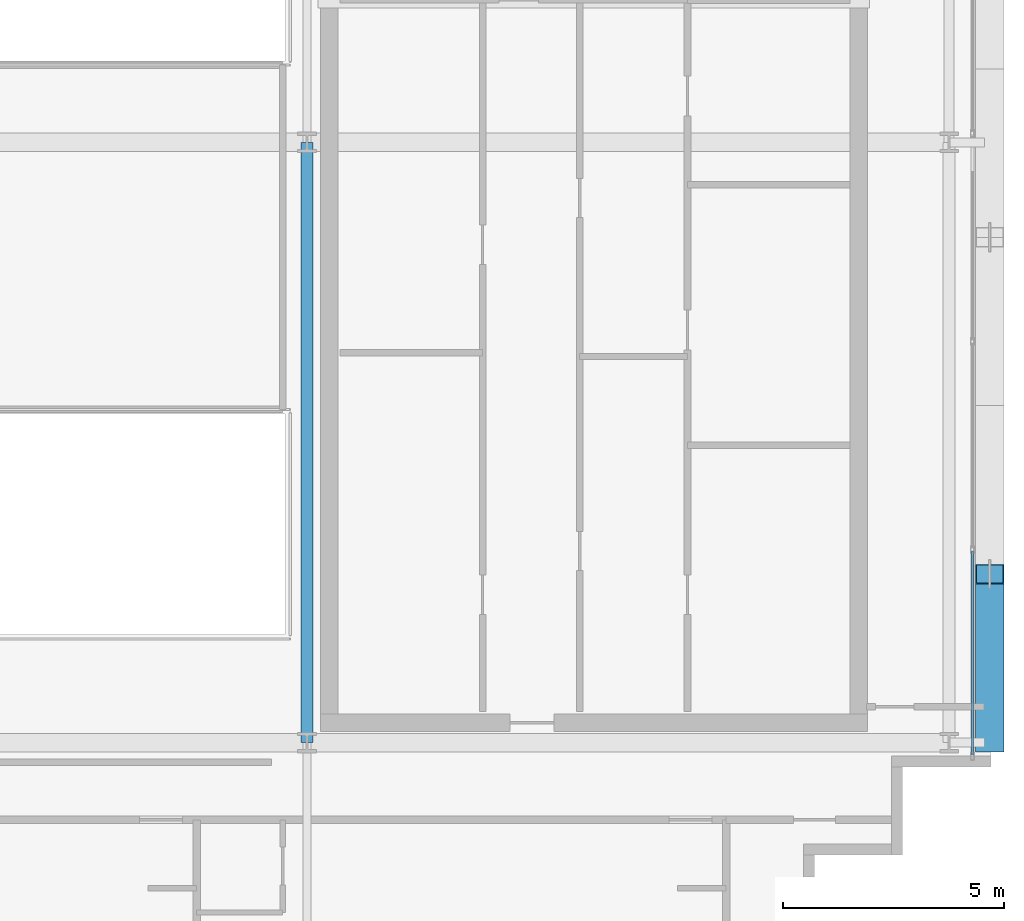
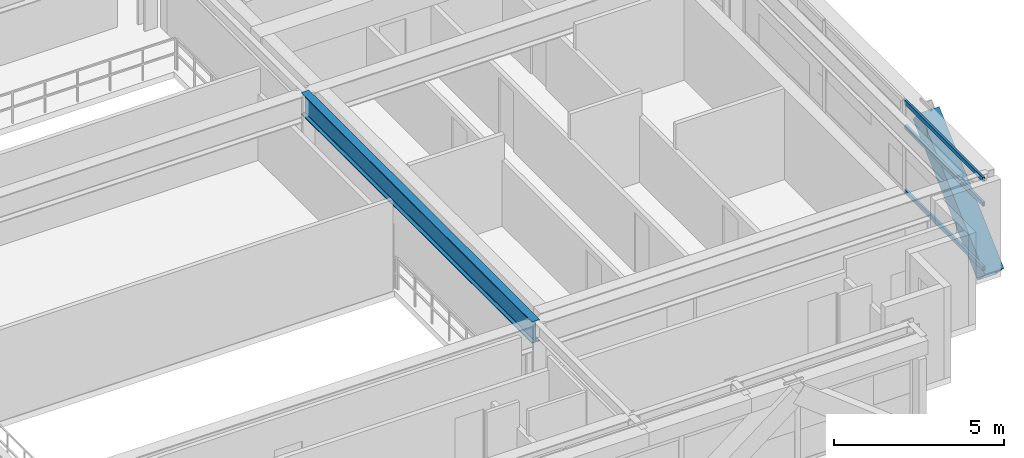
# One storey, part 10 of 28: 4 members, 1 beam, 1 element without a shape of its own.
"""IFC4 building model written with IfcOpenShell, lengths in metres."""

import ifcopenshell
import ifcopenshell.guid

model = None  # the IFC model being written
_history = None  # IfcOwnerHistory: only IFC2X3 demands one
_inside = {}  # id of a spatial element -> (the spatial element, [elements in it])
_under = {}  # id of a project, library or spatial element -> (it, [spatial elements below it])
_declared = {}  # id of a project -> (the project, [libraries it declares])
_typed = {}  # id of a type object -> (the type object, [elements of that type])
_made_of = {}  # id of a material, layer set ... -> (it, [elements and type objects made of it])


def new_model(schema):
    """Start an empty IFC model of exactly this schema.

    Asked for "IFC4X3", IfcOpenShell would pick the latest addendum, in which some entities
    have other attributes; the version numbers below select the first issue.
    IFC2X3 requires an IfcOwnerHistory on every rooted entity: one is made here for all.
    """
    global model, _history
    if schema == "IFC4X3":
        model = ifcopenshell.file(schema_version=(4, 3, 0, 0))
    else:
        model = ifcopenshell.file(schema=schema)
    _inside.clear()
    _under.clear()
    _declared.clear()
    _typed.clear()
    _made_of.clear()
    _history = None
    if model.schema == "IFC2X3":
        org = make("IfcOrganization", Name="unknown")
        user = make(
            "IfcPersonAndOrganization",
            ThePerson=make("IfcPerson", FamilyName="unknown"),
            TheOrganization=org,
        )
        app = make(
            "IfcApplication",
            ApplicationDeveloper=org,
            Version="unknown",
            ApplicationFullName="unknown",
            ApplicationIdentifier="unknown",
        )
        _history = make(
            "IfcOwnerHistory",
            OwningUser=user,
            OwningApplication=app,
            ChangeAction="ADDED",
            CreationDate=0,
        )
    return model


def make(cls, **values):
    """One entity of the class cls with the attributes given. An attribute that is None is left unset."""
    return model.create_entity(
        cls, **{name: value for name, value in values.items() if value is not None}
    )


def rooted(cls, **values):
    """An entity with a GlobalId (a new one), such as an element, a storey or a relation."""
    return make(cls, GlobalId=ifcopenshell.guid.new(), OwnerHistory=_history, **values)


def si_unit(unit_type, name, prefix=None):
    """IfcSIUnit, for example si_unit("LENGTHUNIT", "METRE", prefix="MILLI")."""
    return make("IfcSIUnit", UnitType=unit_type, Prefix=prefix, Name=name)


def assignment(units):
    """IfcUnitAssignment: the units of a project."""
    return None if units is None else make("IfcUnitAssignment", Units=units)


def point(xyz):
    """IfcCartesianPoint."""
    return None if xyz is None else make("IfcCartesianPoint", Coordinates=xyz)


def direction(xyz):
    """IfcDirection."""
    return None if xyz is None else make("IfcDirection", DirectionRatios=xyz)


def frame(location, z_axis=None, x_axis=None):
    """IfcAxis2Placement3D, a coordinate frame: its origin and axes. An axis left out is left unset."""
    return make(
        "IfcAxis2Placement3D",
        Location=point(location),
        Axis=direction(z_axis),
        RefDirection=direction(x_axis),
    )


def frame_2d(location, x_axis=None):
    """IfcAxis2Placement2D, a coordinate frame in the plane: its origin and x axis."""
    return make(
        "IfcAxis2Placement2D", Location=point(location), RefDirection=direction(x_axis)
    )


def origin():
    """The frame at (0, 0, 0) with its axes left unset."""
    return frame((0.0, 0.0, 0.0))


def origin_2d():
    """The frame at (0, 0) in the plane with its x axis left unset."""
    return frame_2d((0.0, 0.0))


def place(relative_to, where):
    """IfcLocalPlacement: puts the frame where relative to a parent placement (None: the world)."""
    return make(
        "IfcLocalPlacement", PlacementRelTo=relative_to, RelativePlacement=where
    )


def context(
    kind, dimensions, precision=None, world=None, true_north=None, identifier=None
):
    """IfcGeometricRepresentationContext, for example the 3D "Model" context."""
    return make(
        "IfcGeometricRepresentationContext",
        ContextIdentifier=identifier,
        ContextType=kind,
        CoordinateSpaceDimension=dimensions,
        Precision=precision,
        WorldCoordinateSystem=world,
        TrueNorth=true_north,
    )


def subcontext(parent, identifier, kind, view, scale=None):
    """IfcGeometricRepresentationSubContext, for example "Body" below "Model"."""
    return make(
        "IfcGeometricRepresentationSubContext",
        ContextIdentifier=identifier,
        ContextType=kind,
        ParentContext=parent,
        TargetScale=scale,
        TargetView=view,
    )


def project(units=None, contexts=None):
    """IfcProject with its units and contexts."""
    return rooted(
        "IfcProject",
        Name="project",
        RepresentationContexts=contexts,
        UnitsInContext=assignment(units),
    )


def spatial(cls, under=None, at=None, **own):
    """A site, building, storey or space (cls), placed at a placement, below another one or the project."""
    s = rooted(cls, ObjectPlacement=at, **own)
    if under is not None:
        _under.setdefault(under.id(), (under, []))[1].append(s)
    return s


def profile(cls, at=None, kind="AREA", **sizes):
    """A parametric profile (cls). Its sizes go by their IFC names, for example OverallWidth=200.0."""
    return make(cls, ProfileType=kind, Position=at, **sizes)


def hollow_rectangle(**sizes):
    """IfcRectangleHollowProfileDef."""
    return profile("IfcRectangleHollowProfileDef", **sizes)


def i_section(**sizes):
    """IfcIShapeProfileDef."""
    return profile("IfcIShapeProfileDef", **sizes)


def extrude(swept, where, along, depth):
    """IfcExtrudedAreaSolid: the profile swept, set in the frame where, extruded along a direction by depth."""
    return make(
        "IfcExtrudedAreaSolid",
        SweptArea=swept,
        Position=where,
        ExtrudedDirection=direction(along),
        Depth=depth,
    )


def shape(context_of_items, identifier, shape_type, items):
    """IfcShapeRepresentation: the items that make up one representation, for example the "Body"."""
    return make(
        "IfcShapeRepresentation",
        ContextOfItems=context_of_items,
        RepresentationIdentifier=identifier,
        RepresentationType=shape_type,
        Items=items,
    )


def source(mapping_origin, context_of_items, identifier, shape_type, items):
    """IfcRepresentationMap: a shape defined once, which mapped items show again and again."""
    return make(
        "IfcRepresentationMap",
        MappingOrigin=mapping_origin,
        MappedRepresentation=shape(context_of_items, identifier, shape_type, items),
    )


def transform(
    local_origin,
    x_axis=None,
    y_axis=None,
    z_axis=None,
    scale=None,
    scale2=None,
    scale3=None,
    uniform=True,
):
    """IfcCartesianTransformationOperator3D, or its non-uniform kind. x_axis, y_axis, z_axis: its Axis1, 2, 3."""
    if uniform:
        return make(
            "IfcCartesianTransformationOperator3D",
            Axis1=direction(x_axis),
            Axis2=direction(y_axis),
            LocalOrigin=point(local_origin),
            Scale=scale,
            Axis3=direction(z_axis),
        )
    return make(
        "IfcCartesianTransformationOperator3DnonUniform",
        Axis1=direction(x_axis),
        Axis2=direction(y_axis),
        LocalOrigin=point(local_origin),
        Scale=scale,
        Axis3=direction(z_axis),
        Scale2=scale2,
        Scale3=scale3,
    )


def mapped(mapping_source, mapping_target):
    """IfcMappedItem: shows the shape of a source again, moved by a transform."""
    return make(
        "IfcMappedItem", MappingSource=mapping_source, MappingTarget=mapping_target
    )


def material(Name=None, Category=None):
    """IfcMaterial."""
    return make("IfcMaterial", Name=Name, Category=Category)


def layer(
    of_material, thickness, ventilated=None, Name=None, Category=None, Priority=None
):
    """IfcMaterialLayer: one layer of a wall or slab, of a material (None: an air gap)."""
    return make(
        "IfcMaterialLayer",
        Material=of_material,
        LayerThickness=thickness,
        IsVentilated=ventilated,
        Name=Name,
        Category=Category,
        Priority=Priority,
    )


def layer_set(layers, Name=None):
    """IfcMaterialLayerSet."""
    return make("IfcMaterialLayerSet", MaterialLayers=layers, LayerSetName=Name)


def material_profile(
    of_material, cross_section, Name=None, Category=None, Priority=None
):
    """IfcMaterialProfile: a cross section and its material."""
    return make(
        "IfcMaterialProfile",
        Name=Name,
        Material=of_material,
        Profile=cross_section,
        Priority=Priority,
        Category=Category,
    )


def profile_set(profiles, Name=None, composite=None):
    """IfcMaterialProfileSet."""
    return make(
        "IfcMaterialProfileSet",
        Name=Name,
        MaterialProfiles=profiles,
        CompositeProfile=composite,
    )


def made_of(thing, what):
    """Note that an element or type object is made of a material, layer set ...; save() writes the relation."""
    if what is not None:
        _made_of.setdefault(what.id(), (what, []))[1].append(thing)
    return thing


def type_object(cls, material=None, **own):
    """A type object (cls), such as IfcWallType, which elements share."""
    return made_of(rooted(cls, **own), material)


def element(
    cls,
    number,
    at=None,
    inside=None,
    cuts=None,
    type_object=None,
    material=None,
    context=None,
    identifier="Body",
    shape_type=None,
    held_by="IfcProductDefinitionShape",
    body=None,
    shapes=None,
    **own,
):
    """One element of the class cls, such as IfcWall. Its Tag is "e" and its number.

    at: its placement. inside: the storey or other place that contains it. cuts: it is an
    opening in that element (IfcRelVoidsElement). A single representation is given by context,
    identifier, shape_type and body (its items); several are given by shapes. held_by: the class
    of the entity that holds the representations. save() writes the other relations.
    """
    e = rooted(cls, Tag="e%d" % number, ObjectPlacement=at, **own)
    if body is not None:
        shapes = [shape(context, identifier, shape_type, body)]
    if shapes is not None:
        e.Representation = make(held_by, Representations=shapes)
    if inside is not None:
        _inside.setdefault(inside.id(), (inside, []))[1].append(e)
    if cuts is not None:
        rooted(
            "IfcRelVoidsElement", RelatingBuildingElement=cuts, RelatedOpeningElement=e
        )
    if type_object is not None:
        _typed.setdefault(type_object.id(), (type_object, []))[1].append(e)
    return made_of(e, material)


def aggregate(whole, parts):
    """IfcRelAggregates: a whole, such as a stair, and the parts it consists of."""
    return rooted("IfcRelAggregates", RelatingObject=whole, RelatedObjects=parts)


def save(model, path):
    """Write the relations noted so far, then the file.

    IfcRelAggregates (storeys below a building ...), IfcRelContainedInSpatialStructure (elements
    in a storey), IfcRelDefinesByType, IfcRelAssociatesMaterial and IfcRelDeclares: one each for
    every whole, place, type object, material and project.
    """
    for whole, parts in _under.values():
        aggregate(whole, parts)
    for where, things in _inside.values():
        rooted(
            "IfcRelContainedInSpatialStructure",
            RelatedElements=things,
            RelatingStructure=where,
        )
    for kind, things in _typed.values():
        rooted("IfcRelDefinesByType", RelatedObjects=things, RelatingType=kind)
    for what, things in _made_of.values():
        rooted("IfcRelAssociatesMaterial", RelatedObjects=things, RelatingMaterial=what)
    for by, libraries in _declared.values():
        rooted("IfcRelDeclares", RelatingContext=by, RelatedDefinitions=libraries)
    model.write(path)


model = new_model("IFC4")

# Units and contexts
model_context = context("Model", 3, precision=1e-05, world=origin(), true_north=direction((0.0, 1.0)))
body_context = subcontext(model_context, "Body", "Model", "MODEL_VIEW")
ifc_project = project(units=[si_unit("LENGTHUNIT", "METRE"), si_unit("AREAUNIT", "SQUARE_METRE"), si_unit("VOLUMEUNIT", "CUBIC_METRE"), si_unit("PLANEANGLEUNIT", "RADIAN"), si_unit("MASSUNIT", "GRAM", prefix="KILO")], contexts=[model_context])

# Site, building, storey
site_placement = place(None, origin())
site = spatial("IfcSite", under=ifc_project, at=site_placement, CompositionType="ELEMENT")
building_placement = place(site_placement, origin())
building = spatial("IfcBuilding", under=site, at=building_placement, Name="Ocotamira Hotel", CompositionType="ELEMENT")
storey_placement = place(building_placement, frame((0.0, 0.0, 243.60009765625)))
storey = spatial("IfcBuildingStorey", under=building, at=storey_placement, Name="L61", CompositionType="ELEMENT", Elevation=243.60009765625)

# Beam
ifc_material_1 = material(Name="Steel ASTM A992 Grade 50", Category="steel")
ifc_material_profile_1 = material_profile(ifc_material_1, i_section(OverallWidth=0.26611328125, OverallDepth=0.779052734375, WebThickness=0.0166015625, FlangeThickness=0.030029296875, FilletRadius=0.01806640625, at=origin_2d()), Name="W30X148")
ifc_profile_set_1 = profile_set([ifc_material_profile_1], Name="Steel ASTM A992 Grade 50")
beam_type = type_object("IfcBeamType", Name="BM-GIRD-W30X148", PredefinedType="BEAM", material=ifc_profile_set_1)
shared_shape_1 = source(origin(), body_context, "Body", "SweptSolid", [
    extrude(i_section(OverallWidth=0.26611328125, OverallDepth=0.779052734375, WebThickness=0.0166015625, FlangeThickness=0.030029296875, FilletRadius=0.01806640625, at=origin_2d()), origin(), (0.0, 0.0, 1.0), 13.599853515625),
])
beam_placement = place(storey_placement, frame((40.5, 14.550048828125, 2.890380859375), z_axis=(0.0, 1.0, 0.0), x_axis=(-1.0, 0.0, 0.0)))
element("IfcBeam", 1, at=beam_placement, inside=storey, type_object=beam_type, Name="L61 Beam X40.5 Y14.55-28.15", PredefinedType="BEAM", context=body_context, shape_type="MappedRepresentation", body=[
    mapped(shared_shape_1, transform((0.0, 0.0, 0.0), scale=1.0)),
])

# Member
ifc_material_2 = material(Name="Pale-metal coated steel ASTM A913 Grade 65", Category="steel")
ifc_material_profile_2 = material_profile(ifc_material_2, hollow_rectangle(XDim=0.64990234375, YDim=0.64990234375, WallThickness=0.02197265625, at=origin_2d()), Name="BOX650X650X22")
ifc_profile_set_2 = profile_set([ifc_material_profile_2], Name="Pale-metal coated steel ASTM A913 Grade 65")
member_type_1 = type_object("IfcMemberType", Name="MEM-EXO-BOX650", PredefinedType="BRACE", material=ifc_profile_set_2)
shared_shape_2 = source(origin(), body_context, "Body", "SweptSolid", [
    extrude(hollow_rectangle(XDim=0.64990234375, YDim=0.64990234375, WallThickness=0.02197265625, at=origin_2d()), origin(), (0.0, 0.0, 1.0), 5.178466796875),
])
member_1_placement = place(storey_placement, frame((55.969970703125, 14.550048828125, -0.47021484375), z_axis=(0.0, 0.737019094846, 0.675871921174), x_axis=(-1.0, 0.0, 0.0)))
element("IfcMember", 2, at=member_1_placement, inside=storey, type_object=member_type_1, Name="L61 Exoskeleton Diagrid E0.1", PredefinedType="BRACE", context=body_context, shape_type="MappedRepresentation", body=[
    mapped(shared_shape_2, transform((0.0, 0.0, 0.0), scale=1.0)),
])

# Curtain wall, members
ifc_material_3 = material(Name="Anodised pale-metal aluminium and solar glass", Category="aluminium")
ifc_layer = layer(ifc_material_3, 0.239990234375)
ifc_layer_set = layer_set([ifc_layer], Name="Anodised pale-metal aluminium and solar glass")
curtain_wall_type = type_object("IfcCurtainWallType", Name="CW-SYS5-SKY", PredefinedType="NOTDEFINED", material=ifc_layer_set)
curtain_wall_placement = place(storey_placement, origin())
curtain_wall = element("IfcCurtainWall", 3, at=curtain_wall_placement, inside=storey, type_object=curtain_wall_type, Name="L61 Curtain Wall CW-5 CW-L61-E", PredefinedType="NOTDEFINED")
ifc_material_4 = material(Name="Anodised pale-metal aluminium 6063-T6", Category="aluminium")
ifc_material_profile_3 = material_profile(ifc_material_4, hollow_rectangle(XDim=0.074951171875, YDim=0.14990234375, WallThickness=0.006103515625, at=origin_2d()), Name="HSS150X75X6")
ifc_profile_set_3 = profile_set([ifc_material_profile_3], Name="Anodised pale-metal aluminium 6063-T6")
member_type_2 = type_object("IfcMemberType", Name="CWT-150X75", PredefinedType="USERDEFINED", material=ifc_profile_set_3)
shared_shape_3 = source(origin(), body_context, "Body", "SweptSolid", [
    extrude(hollow_rectangle(XDim=0.074951171875, YDim=0.14990234375, WallThickness=0.006103515625, at=origin_2d()), origin(), (0.0, 0.0, 1.0), 4.599853515625),
])
member_2_placement = place(storey_placement, frame((55.580078125, 14.280029296875, 0.037353515625), z_axis=(0.0, 1.0, 0.0), x_axis=(-1.0, 0.0, 0.0)))
member_2 = element("IfcMember", 4, at=member_2_placement, type_object=member_type_2, Name="CW-5 transom 1.1", ObjectType="TRANSOM", PredefinedType="USERDEFINED", context=body_context, shape_type="MappedRepresentation", body=[
    mapped(shared_shape_3, transform((0.0, 0.0, 0.0), scale=1.0)),
])
member_3_placement = place(storey_placement, frame((55.580078125, 14.280029296875, 2.349853515625), z_axis=(0.0, 1.0, 0.0), x_axis=(-1.0, 0.0, 0.0)))
member_3 = element("IfcMember", 5, at=member_3_placement, type_object=member_type_2, Name="CW-5 transom 1.2", ObjectType="TRANSOM", PredefinedType="USERDEFINED", context=body_context, shape_type="MappedRepresentation", body=[
    mapped(shared_shape_3, transform((0.0, 0.0, 0.0), scale=1.0)),
])
member_4_placement = place(storey_placement, frame((55.580078125, 14.280029296875, 3.242431640625), z_axis=(0.0, 1.0, 0.0), x_axis=(-1.0, 0.0, 0.0)))
member_4 = element("IfcMember", 6, at=member_4_placement, type_object=member_type_2, Name="CW-5 transom 1.3", ObjectType="TRANSOM", PredefinedType="USERDEFINED", context=body_context, shape_type="MappedRepresentation", body=[
    mapped(shared_shape_3, transform((0.0, 0.0, 0.0), scale=1.0)),
])
aggregate(curtain_wall, [member_2, member_3, member_4])

save(model, "model.ifc")
